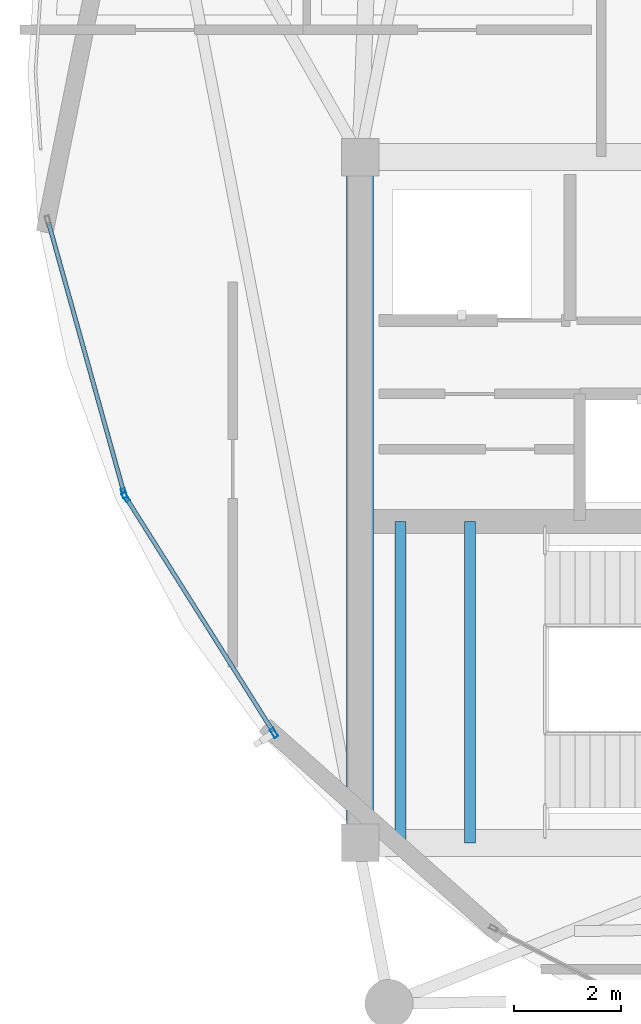
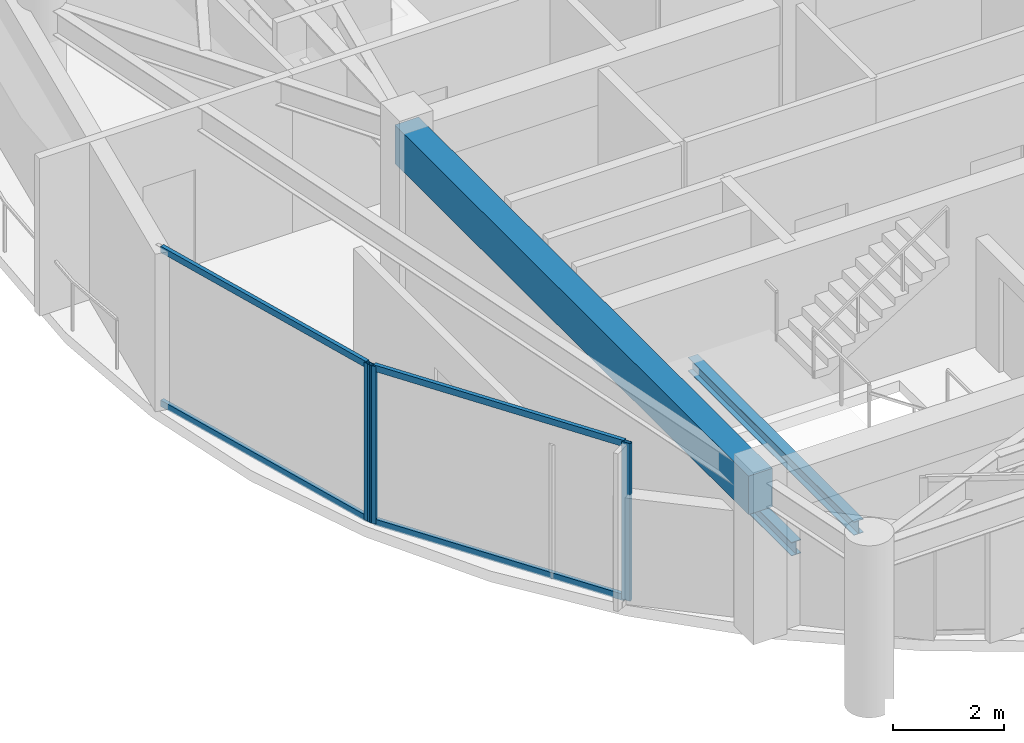
# One storey, part 3 of 29: 7 members, 3 beams, 2 elements without a shape of their own.
"""IFC4 building model written with IfcOpenShell, lengths in metres."""

import ifcopenshell
import ifcopenshell.guid

model = None  # the IFC model being written
_history = None  # IfcOwnerHistory: only IFC2X3 demands one
_inside = {}  # id of a spatial element -> (the spatial element, [elements in it])
_under = {}  # id of a project, library or spatial element -> (it, [spatial elements below it])
_declared = {}  # id of a project -> (the project, [libraries it declares])
_typed = {}  # id of a type object -> (the type object, [elements of that type])
_made_of = {}  # id of a material, layer set ... -> (it, [elements and type objects made of it])


def new_model(schema):
    """Start an empty IFC model of exactly this schema.

    Asked for "IFC4X3", IfcOpenShell would pick the latest addendum, in which some entities
    have other attributes; the version numbers below select the first issue.
    IFC2X3 requires an IfcOwnerHistory on every rooted entity: one is made here for all.
    """
    global model, _history
    if schema == "IFC4X3":
        model = ifcopenshell.file(schema_version=(4, 3, 0, 0))
    else:
        model = ifcopenshell.file(schema=schema)
    _inside.clear()
    _under.clear()
    _declared.clear()
    _typed.clear()
    _made_of.clear()
    _history = None
    if model.schema == "IFC2X3":
        org = make("IfcOrganization", Name="unknown")
        user = make(
            "IfcPersonAndOrganization",
            ThePerson=make("IfcPerson", FamilyName="unknown"),
            TheOrganization=org,
        )
        app = make(
            "IfcApplication",
            ApplicationDeveloper=org,
            Version="unknown",
            ApplicationFullName="unknown",
            ApplicationIdentifier="unknown",
        )
        _history = make(
            "IfcOwnerHistory",
            OwningUser=user,
            OwningApplication=app,
            ChangeAction="ADDED",
            CreationDate=0,
        )
    return model


def make(cls, **values):
    """One entity of the class cls with the attributes given. An attribute that is None is left unset."""
    return model.create_entity(
        cls, **{name: value for name, value in values.items() if value is not None}
    )


def rooted(cls, **values):
    """An entity with a GlobalId (a new one), such as an element, a storey or a relation."""
    return make(cls, GlobalId=ifcopenshell.guid.new(), OwnerHistory=_history, **values)


def si_unit(unit_type, name, prefix=None):
    """IfcSIUnit, for example si_unit("LENGTHUNIT", "METRE", prefix="MILLI")."""
    return make("IfcSIUnit", UnitType=unit_type, Prefix=prefix, Name=name)


def assignment(units):
    """IfcUnitAssignment: the units of a project."""
    return None if units is None else make("IfcUnitAssignment", Units=units)


def point(xyz):
    """IfcCartesianPoint."""
    return None if xyz is None else make("IfcCartesianPoint", Coordinates=xyz)


def direction(xyz):
    """IfcDirection."""
    return None if xyz is None else make("IfcDirection", DirectionRatios=xyz)


def frame(location, z_axis=None, x_axis=None):
    """IfcAxis2Placement3D, a coordinate frame: its origin and axes. An axis left out is left unset."""
    return make(
        "IfcAxis2Placement3D",
        Location=point(location),
        Axis=direction(z_axis),
        RefDirection=direction(x_axis),
    )


def frame_2d(location, x_axis=None):
    """IfcAxis2Placement2D, a coordinate frame in the plane: its origin and x axis."""
    return make(
        "IfcAxis2Placement2D", Location=point(location), RefDirection=direction(x_axis)
    )


def origin():
    """The frame at (0, 0, 0) with its axes left unset."""
    return frame((0.0, 0.0, 0.0))


def origin_2d():
    """The frame at (0, 0) in the plane with its x axis left unset."""
    return frame_2d((0.0, 0.0))


def place(relative_to, where):
    """IfcLocalPlacement: puts the frame where relative to a parent placement (None: the world)."""
    return make(
        "IfcLocalPlacement", PlacementRelTo=relative_to, RelativePlacement=where
    )


def context(
    kind, dimensions, precision=None, world=None, true_north=None, identifier=None
):
    """IfcGeometricRepresentationContext, for example the 3D "Model" context."""
    return make(
        "IfcGeometricRepresentationContext",
        ContextIdentifier=identifier,
        ContextType=kind,
        CoordinateSpaceDimension=dimensions,
        Precision=precision,
        WorldCoordinateSystem=world,
        TrueNorth=true_north,
    )


def subcontext(parent, identifier, kind, view, scale=None):
    """IfcGeometricRepresentationSubContext, for example "Body" below "Model"."""
    return make(
        "IfcGeometricRepresentationSubContext",
        ContextIdentifier=identifier,
        ContextType=kind,
        ParentContext=parent,
        TargetScale=scale,
        TargetView=view,
    )


def project(units=None, contexts=None):
    """IfcProject with its units and contexts."""
    return rooted(
        "IfcProject",
        Name="project",
        RepresentationContexts=contexts,
        UnitsInContext=assignment(units),
    )


def spatial(cls, under=None, at=None, **own):
    """A site, building, storey or space (cls), placed at a placement, below another one or the project."""
    s = rooted(cls, ObjectPlacement=at, **own)
    if under is not None:
        _under.setdefault(under.id(), (under, []))[1].append(s)
    return s


def profile(cls, at=None, kind="AREA", **sizes):
    """A parametric profile (cls). Its sizes go by their IFC names, for example OverallWidth=200.0."""
    return make(cls, ProfileType=kind, Position=at, **sizes)


def rectangle(**sizes):
    """IfcRectangleProfileDef."""
    return profile("IfcRectangleProfileDef", **sizes)


def hollow_rectangle(**sizes):
    """IfcRectangleHollowProfileDef."""
    return profile("IfcRectangleHollowProfileDef", **sizes)


def i_section(**sizes):
    """IfcIShapeProfileDef."""
    return profile("IfcIShapeProfileDef", **sizes)


def extrude(swept, where, along, depth):
    """IfcExtrudedAreaSolid: the profile swept, set in the frame where, extruded along a direction by depth."""
    return make(
        "IfcExtrudedAreaSolid",
        SweptArea=swept,
        Position=where,
        ExtrudedDirection=direction(along),
        Depth=depth,
    )


def shape(context_of_items, identifier, shape_type, items):
    """IfcShapeRepresentation: the items that make up one representation, for example the "Body"."""
    return make(
        "IfcShapeRepresentation",
        ContextOfItems=context_of_items,
        RepresentationIdentifier=identifier,
        RepresentationType=shape_type,
        Items=items,
    )


def material(Name=None, Category=None):
    """IfcMaterial."""
    return make("IfcMaterial", Name=Name, Category=Category)


def layer(
    of_material, thickness, ventilated=None, Name=None, Category=None, Priority=None
):
    """IfcMaterialLayer: one layer of a wall or slab, of a material (None: an air gap)."""
    return make(
        "IfcMaterialLayer",
        Material=of_material,
        LayerThickness=thickness,
        IsVentilated=ventilated,
        Name=Name,
        Category=Category,
        Priority=Priority,
    )


def layer_set(layers, Name=None):
    """IfcMaterialLayerSet."""
    return make("IfcMaterialLayerSet", MaterialLayers=layers, LayerSetName=Name)


def material_profile(
    of_material, cross_section, Name=None, Category=None, Priority=None
):
    """IfcMaterialProfile: a cross section and its material."""
    return make(
        "IfcMaterialProfile",
        Name=Name,
        Material=of_material,
        Profile=cross_section,
        Priority=Priority,
        Category=Category,
    )


def profile_set(profiles, Name=None, composite=None):
    """IfcMaterialProfileSet."""
    return make(
        "IfcMaterialProfileSet",
        Name=Name,
        MaterialProfiles=profiles,
        CompositeProfile=composite,
    )


def made_of(thing, what):
    """Note that an element or type object is made of a material, layer set ...; save() writes the relation."""
    if what is not None:
        _made_of.setdefault(what.id(), (what, []))[1].append(thing)
    return thing


def type_object(cls, material=None, **own):
    """A type object (cls), such as IfcWallType, which elements share."""
    return made_of(rooted(cls, **own), material)


def element(
    cls,
    number,
    at=None,
    inside=None,
    cuts=None,
    type_object=None,
    material=None,
    context=None,
    identifier="Body",
    shape_type=None,
    held_by="IfcProductDefinitionShape",
    body=None,
    shapes=None,
    **own,
):
    """One element of the class cls, such as IfcWall. Its Tag is "e" and its number.

    at: its placement. inside: the storey or other place that contains it. cuts: it is an
    opening in that element (IfcRelVoidsElement). A single representation is given by context,
    identifier, shape_type and body (its items); several are given by shapes. held_by: the class
    of the entity that holds the representations. save() writes the other relations.
    """
    e = rooted(cls, Tag="e%d" % number, ObjectPlacement=at, **own)
    if body is not None:
        shapes = [shape(context, identifier, shape_type, body)]
    if shapes is not None:
        e.Representation = make(held_by, Representations=shapes)
    if inside is not None:
        _inside.setdefault(inside.id(), (inside, []))[1].append(e)
    if cuts is not None:
        rooted(
            "IfcRelVoidsElement", RelatingBuildingElement=cuts, RelatedOpeningElement=e
        )
    if type_object is not None:
        _typed.setdefault(type_object.id(), (type_object, []))[1].append(e)
    return made_of(e, material)


def aggregate(whole, parts):
    """IfcRelAggregates: a whole, such as a stair, and the parts it consists of."""
    return rooted("IfcRelAggregates", RelatingObject=whole, RelatedObjects=parts)


def save(model, path):
    """Write the relations noted so far, then the file.

    IfcRelAggregates (storeys below a building ...), IfcRelContainedInSpatialStructure (elements
    in a storey), IfcRelDefinesByType, IfcRelAssociatesMaterial and IfcRelDeclares: one each for
    every whole, place, type object, material and project.
    """
    for whole, parts in _under.values():
        aggregate(whole, parts)
    for where, things in _inside.values():
        rooted(
            "IfcRelContainedInSpatialStructure",
            RelatedElements=things,
            RelatingStructure=where,
        )
    for kind, things in _typed.values():
        rooted("IfcRelDefinesByType", RelatedObjects=things, RelatingType=kind)
    for what, things in _made_of.values():
        rooted("IfcRelAssociatesMaterial", RelatedObjects=things, RelatingMaterial=what)
    for by, libraries in _declared.values():
        rooted("IfcRelDeclares", RelatingContext=by, RelatedDefinitions=libraries)
    model.write(path)


model = new_model("IFC4")

# Units and contexts
model_context = context("Model", 3, precision=1e-05, world=origin(), true_north=direction((0.0, 1.0)))
body_context = subcontext(model_context, "Body", "Model", "MODEL_VIEW")
ifc_project = project(units=[si_unit("LENGTHUNIT", "METRE"), si_unit("AREAUNIT", "SQUARE_METRE"), si_unit("VOLUMEUNIT", "CUBIC_METRE"), si_unit("PLANEANGLEUNIT", "RADIAN"), si_unit("MASSUNIT", "GRAM", prefix="KILO")], contexts=[model_context])

# Site, building, storey
site_placement = place(None, origin())
site = spatial("IfcSite", under=ifc_project, at=site_placement, CompositionType="ELEMENT")
building_placement = place(site_placement, origin())
building = spatial("IfcBuilding", under=site, at=building_placement, Name="Kazevale Care Tower and Concert Hall", CompositionType="ELEMENT")
storey_placement = place(building_placement, frame((0.0, 0.0, 289.0)))
storey = spatial("IfcBuildingStorey", under=building, at=storey_placement, Name="L76", CompositionType="ELEMENT", Elevation=289.0)

# Curtain wall, members
ifc_material_1 = material(Name="Aluminium 6063-T6 and Low-E Glass", Category="aluminium")
ifc_layer = layer(ifc_material_1, 0.179931640625)
ifc_layer_set = layer_set([ifc_layer], Name="Aluminium 6063-T6 and Low-E Glass")
curtain_wall_type = type_object("IfcCurtainWallType", Name="Waist & Upper Residential Curtain Wall CW-4", PredefinedType="NOTDEFINED", material=ifc_layer_set)
curtain_wall_1_placement = place(storey_placement, origin())
curtain_wall_1 = element("IfcCurtainWall", 1, at=curtain_wall_1_placement, inside=storey, type_object=curtain_wall_type, Name="cw:L76:f11", PredefinedType="NOTDEFINED")
ifc_material_2 = material(Name="Aluminium 6063-T6", Category="aluminium")
ifc_material_profile_1 = material_profile(ifc_material_2, hollow_rectangle(XDim=0.080078125, YDim=0.179931640625, WallThickness=0.0048828125, at=origin_2d()), Name="ALU80x180x5")
ifc_profile_set_1 = profile_set([ifc_material_profile_1], Name="Aluminium 6063-T6")
member_type_1 = type_object("IfcMemberType", Name="CW-4 Mullion ALU80x180x5", PredefinedType="MULLION", material=ifc_profile_set_1)
member_1_placement = place(storey_placement, frame((20.3916015625, 25.65087890625, 0.0), z_axis=(0.0, 0.0, 1.0), x_axis=(-0.846697503152, -0.532074560711, 0.0)))
member_1 = element("IfcMember", 2, at=member_1_placement, type_object=member_type_1, Name="CW-4 mullion 1", PredefinedType="MULLION", context=body_context, shape_type="SweptSolid", body=[
    extrude(hollow_rectangle(XDim=0.080078125, YDim=0.179931640625, WallThickness=0.0048828125, at=origin_2d()), origin(), (0.0, 0.0, 1.0), 3.47998046875),
])
member_2_placement = place(storey_placement, frame((17.625244140625, 30.05322265625, 0.0), z_axis=(0.0, 0.0, 1.0), x_axis=(-0.846697503152, -0.532074560711, 0.0)))
member_2 = element("IfcMember", 3, at=member_2_placement, type_object=member_type_1, Name="CW-4 mullion 2", PredefinedType="MULLION", context=body_context, shape_type="SweptSolid", body=[
    extrude(hollow_rectangle(XDim=0.080078125, YDim=0.179931640625, WallThickness=0.0048828125, at=origin_2d()), origin(), (0.0, 0.0, 1.0), 3.47998046875),
])

# Curtain wall, member
curtain_wall_2_placement = place(storey_placement, origin())
curtain_wall_2 = element("IfcCurtainWall", 4, at=curtain_wall_2_placement, inside=storey, type_object=curtain_wall_type, Name="cw:L76:f12", PredefinedType="NOTDEFINED")
member_3_placement = place(storey_placement, frame((17.59326171875, 30.12548828125, 0.0), z_axis=(0.0, 0.0, 1.0), x_axis=(-0.963194056491, -0.268807011704, 0.0)))
member_3 = element("IfcMember", 5, at=member_3_placement, type_object=member_type_1, Name="CW-4 mullion 1", PredefinedType="MULLION", context=body_context, shape_type="SweptSolid", body=[
    extrude(hollow_rectangle(XDim=0.080078125, YDim=0.179931640625, WallThickness=0.0048828125, at=origin_2d()), origin(), (0.0, 0.0, 1.0), 3.47998046875),
])

# Member
ifc_material_profile_2 = material_profile(ifc_material_2, hollow_rectangle(XDim=0.080078125, YDim=0.139892578125, WallThickness=0.00390625, at=origin_2d()), Name="ALU80x140x4")
ifc_profile_set_2 = profile_set([ifc_material_profile_2], Name="Aluminium 6063-T6")
member_type_2 = type_object("IfcMemberType", Name="CW-4 Transom ALU80x140x4", PredefinedType="USERDEFINED", material=ifc_profile_set_2)
member_4_placement = place(storey_placement, frame((20.370361328125, 25.684814453125, 0.0400390625), z_axis=(-0.532080710127, 0.846693638756, 0.0), x_axis=(-0.846693638756, -0.532080710127, 0.0)))
member_4 = element("IfcMember", 6, at=member_4_placement, type_object=member_type_2, Name="CW-4 transom 1.1", ObjectType="TRANSOM", PredefinedType="USERDEFINED", context=body_context, shape_type="SweptSolid", body=[
    extrude(hollow_rectangle(XDim=0.080078125, YDim=0.139892578125, WallThickness=0.00390625, at=origin_2d()), origin(), (0.0, 0.0, 1.0), 5.119384765625),
])

member_5_placement = place(storey_placement, frame((20.370361328125, 25.684814453125, 3.43994140625), z_axis=(-0.532080710127, 0.846693638756, 0.0), x_axis=(-0.846693638756, -0.532080710127, 0.0)))
member_5 = element("IfcMember", 7, at=member_5_placement, type_object=member_type_2, Name="CW-4 transom 1.2", ObjectType="TRANSOM", PredefinedType="USERDEFINED", context=body_context, shape_type="SweptSolid", body=[
    extrude(hollow_rectangle(XDim=0.080078125, YDim=0.139892578125, WallThickness=0.00390625, at=origin_2d()), origin(), (0.0, 0.0, 1.0), 5.119384765625),
])

aggregate(curtain_wall_1, [member_1, member_2, member_4, member_5])

member_6_placement = place(storey_placement, frame((17.58251953125, 30.1640625, 0.0400390625), z_axis=(-0.268792895196, 0.963197995997, 0.0), x_axis=(-0.963197995997, -0.268792895196, 0.0)))
member_6 = element("IfcMember", 8, at=member_6_placement, type_object=member_type_2, Name="CW-4 transom 1.1", ObjectType="TRANSOM", PredefinedType="USERDEFINED", context=body_context, shape_type="SweptSolid", body=[
    extrude(hollow_rectangle(XDim=0.080078125, YDim=0.139892578125, WallThickness=0.00390625, at=origin_2d()), origin(), (0.0, 0.0, 1.0), 5.20458984375),
])

member_7_placement = place(storey_placement, frame((17.58251953125, 30.1640625, 3.43994140625), z_axis=(-0.268792895196, 0.963197995997, 0.0), x_axis=(-0.963197995997, -0.268792895196, 0.0)))
member_7 = element("IfcMember", 9, at=member_7_placement, type_object=member_type_2, Name="CW-4 transom 1.2", ObjectType="TRANSOM", PredefinedType="USERDEFINED", context=body_context, shape_type="SweptSolid", body=[
    extrude(hollow_rectangle(XDim=0.080078125, YDim=0.139892578125, WallThickness=0.00390625, at=origin_2d()), origin(), (0.0, 0.0, 1.0), 5.20458984375),
])

aggregate(curtain_wall_2, [member_3, member_6, member_7])

# Beams
ifc_material_3 = material(Name="Concrete C60", Category="concrete")
ifc_material_profile_3 = material_profile(ifc_material_3, rectangle(XDim=0.5, YDim=0.85009765625, at=origin_2d()), Name="RC-B500x850")
ifc_profile_set_3 = profile_set([ifc_material_profile_3], Name="Concrete C60")
beam_type_1 = type_object("IfcBeamType", Name="Core Coupling Beam RC500x850", PredefinedType="LINTEL", material=ifc_profile_set_3)
beam_placement = place(storey_placement, frame((22.0, 36.39990234375, 3.054931640625), z_axis=(0.0, -1.0, 0.0), x_axis=(1.0, 0.0, 0.0)))
element("IfcBeam", 10, at=beam_placement, inside=storey, type_object=beam_type_1, Name="beam:L76:coretie:8", PredefinedType="LINTEL", context=body_context, shape_type="SweptSolid", body=[
    extrude(rectangle(XDim=0.5, YDim=0.85009765625, at=origin_2d()), origin(), (0.0, 0.0, 1.0), 12.7998046875),
])
ifc_material_4 = material(Name="Steel ASTM A572 Gr 50", Category="steel")
ifc_material_profile_4 = material_profile(ifc_material_4, i_section(OverallWidth=0.202880859375, OverallDepth=0.302978515625, WebThickness=0.007568359375, FlangeThickness=0.01318359375, at=origin_2d()), Name="W310x60")
ifc_profile_set_4 = profile_set([ifc_material_profile_4], Name="Steel ASTM A572 Gr 50")
beam_type_2 = type_object("IfcBeamType", Name="Stair & Balcony Trimmer W310x60", PredefinedType="BEAM", material=ifc_profile_set_4)
for number, where, z_axis, x_axis, name in (
    (11, (22.75, 23.60009765625, 1.548583984375), (0.0, 1.0, 0.0), (-1.0, 0.0, 0.0), "beam:L76:sttrim:ST1"),
    (12, (24.050048828125, 23.60009765625, 1.548583984375), (0.0, 1.0, 0.0), (-1.0, 0.0, 0.0), "beam:L76:sttrim:ST1b"),
):
    element("IfcBeam", number, at=place(storey_placement, frame(where, z_axis=z_axis, x_axis=x_axis)), inside=storey, type_object=beam_type_2, Name=name, PredefinedType="BEAM", context=body_context, shape_type="SweptSolid", body=[
        extrude(i_section(OverallWidth=0.202880859375, OverallDepth=0.302978515625, WebThickness=0.007568359375, FlangeThickness=0.01318359375, at=origin_2d()), origin(), (0.0, 0.0, 1.0), 6.0),
    ])

save(model, "model.ifc")
